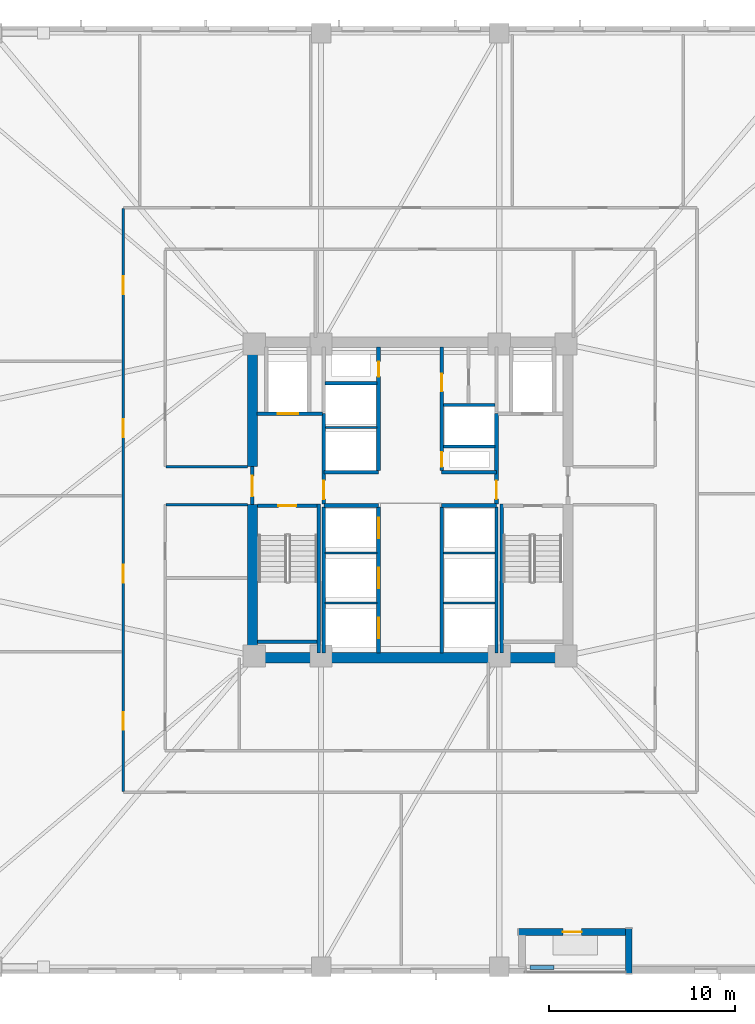
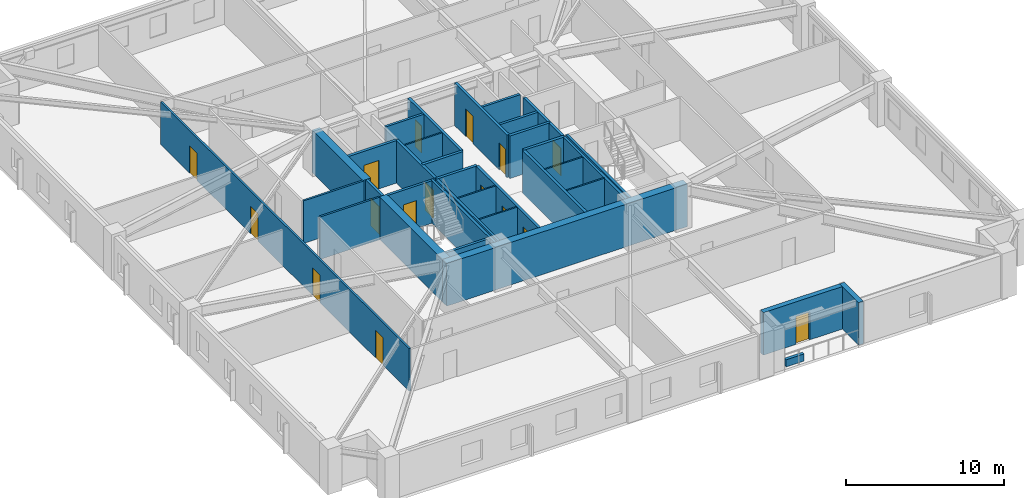
# One storey, part 3 of 11: 35 walls, 16 doors, 16 openings.
"""IFC4 building model written with IfcOpenShell, lengths in metres."""

from ifc_helpers import new_model, si_unit, direction, frame, frame_2d, origin, place, context, subcontext, project, spatial, rectangle, extrude, material, layer, layer_set, type_object, element, fill, save


model = new_model("IFC4")

# Units and contexts
model_context = context("Model", 3, precision=1e-05, world=origin(), true_north=direction((0.0, 1.0)))
body_context = subcontext(model_context, "Body", "Model", "MODEL_VIEW")
ifc_project = project(units=[si_unit("LENGTHUNIT", "METRE"), si_unit("AREAUNIT", "SQUARE_METRE"), si_unit("VOLUMEUNIT", "CUBIC_METRE"), si_unit("PLANEANGLEUNIT", "RADIAN"), si_unit("MASSUNIT", "GRAM", prefix="KILO")], contexts=[model_context])

# Site, building, storey
site_placement = place(None, origin())
site = spatial("IfcSite", under=ifc_project, at=site_placement, CompositionType="ELEMENT")
building_placement = place(site_placement, origin())
building = spatial("IfcBuilding", under=site, at=building_placement, Name="Cairnveth Concourse Tower", CompositionType="ELEMENT")
storey_placement = place(building_placement, frame((0.0, 0.0, 48.0)))
storey = spatial("IfcBuildingStorey", under=building, at=storey_placement, Name="L12", CompositionType="ELEMENT", Elevation=48.0)

# Walls
ifc_material_1 = material(Name="Concrete N80 (80 MPa)", Category="concrete")
ifc_layer_1 = layer(ifc_material_1, 0.550048828125)
ifc_layer_set_1 = layer_set([ifc_layer_1], Name="Concrete N80 (80 MPa)")
wall_type_1 = type_object("IfcWallType", Name="CORE SHEAR WALL 550", PredefinedType="SHEAR", material=ifc_layer_set_1)
wall_1_placement = place(storey_placement, frame((43.22509765625, 30.5, 0.0), z_axis=(0.0, 0.0, 1.0), x_axis=(1.0, 0.0, 0.0)))
element("IfcWall", 1, at=wall_1_placement, inside=storey, type_object=wall_type_1, Name="Core South Shear Wall L12", PredefinedType="SHEAR", context=body_context, shape_type="SweptSolid", body=[
    extrude(rectangle(XDim=17.5498046875, YDim=0.550048828125, at=frame_2d((8.77490234375, 0.0))), origin(), (0.0, 0.0, 1.0), 3.280029296875),
])
wall_2_placement = place(storey_placement, frame((43.5, 30.764892578125, 0.0), z_axis=(0.0, 0.0, 1.0), x_axis=(0.0, 1.0, 0.0)))
element("IfcWall", 2, at=wall_2_placement, inside=storey, type_object=wall_type_1, Name="Core West Shear Wall S L12", PredefinedType="SHEAR", context=body_context, shape_type="SweptSolid", body=[
    extrude(rectangle(XDim=7.985107421875, YDim=0.550048828125, at=frame_2d((3.99267578125, 0.0))), origin(), (0.0, 0.0, 1.0), 3.280029296875),
])
wall_3_placement = place(storey_placement, frame((43.5, 40.800048828125, 0.0), z_axis=(0.0, 0.0, 1.0), x_axis=(0.0, 1.0, 0.0)))
element("IfcWall", 3, at=wall_3_placement, inside=storey, type_object=wall_type_1, Name="Core West Shear Wall N L12", PredefinedType="SHEAR", context=body_context, shape_type="SweptSolid", body=[
    extrude(rectangle(XDim=6.43505859375, YDim=0.550048828125, at=frame_2d((3.217529296875, 0.0))), origin(), (0.0, 0.0, 1.0), 3.280029296875),
])
ifc_material_2 = material(Name="Concrete N50 (50 MPa)", Category="concrete")
ifc_layer_2 = layer(ifc_material_2, 0.179931640625)
ifc_layer_set_2 = layer_set([ifc_layer_2], Name="Concrete N50 (50 MPa)")
wall_type_2 = type_object("IfcWallType", Name="FIRE SHAFT WALL 180", PredefinedType="SOLIDWALL", material=ifc_layer_set_2)
for number, where, z_axis, x_axis, name in (
    (4, (47.35009765625, 30.760009765625, 0.0), (0.0, 0.0, 1.0), (0.0, 1.0, 0.0), "Interior Wall IW-L12-025"),
    (5, (56.64990234375, 30.760009765625, 0.0), (0.0, 0.0, 1.0), (0.0, 1.0, 0.0), "Interior Wall IW-L12-028"),
):
    element("IfcWall", number, at=place(storey_placement, frame(where, z_axis=z_axis, x_axis=x_axis)), inside=storey, type_object=wall_type_2, Name=name, PredefinedType="SOLIDWALL", context=body_context, shape_type="SweptSolid", body=[
        extrude(rectangle(XDim=7.85498046875, YDim=0.179931640625, at=frame_2d((3.927490234375, 0.0))), origin(), (0.0, 0.0, 1.0), 3.280029296875),
    ])
wall_4_placement = place(storey_placement, frame((47.425048828125, 45.280029296875, 0.0), z_axis=(0.0, 0.0, 1.0), x_axis=(1.0, 0.0, 0.0)))
element("IfcWall", 6, at=wall_4_placement, inside=storey, type_object=wall_type_2, Name="Interior Wall IW-L12-033", PredefinedType="SOLIDWALL", context=body_context, shape_type="SweptSolid", body=[
    extrude(rectangle(XDim=2.7900390625, YDim=0.179931640625, at=frame_2d((1.39501953125, 0.0))), origin(), (0.0, 0.0, 1.0), 3.280029296875),
])
wall_5_placement = place(storey_placement, frame((53.784912109375, 41.8798828125, 0.0), z_axis=(0.0, 0.0, 1.0), x_axis=(1.0, 0.0, 0.0)))
element("IfcWall", 7, at=wall_5_placement, inside=storey, type_object=wall_type_2, Name="Interior Wall IW-L12-035", PredefinedType="SOLIDWALL", context=body_context, shape_type="SweptSolid", body=[
    extrude(rectangle(XDim=2.780029296875, YDim=0.179931640625, at=frame_2d((1.39013671875, 0.0))), origin(), (0.0, 0.0, 1.0), 3.280029296875),
])
wall_6_placement = place(storey_placement, frame((53.784912109375, 44.1201171875, 0.0), z_axis=(0.0, 0.0, 1.0), x_axis=(1.0, 0.0, 0.0)))
element("IfcWall", 8, at=wall_6_placement, inside=storey, type_object=wall_type_2, Name="Interior Wall IW-L12-036", PredefinedType="SOLIDWALL", context=body_context, shape_type="SweptSolid", body=[
    extrude(rectangle(XDim=2.7900390625, YDim=0.179931640625, at=frame_2d((1.39501953125, 0.0))), origin(), (0.0, 0.0, 1.0), 3.280029296875),
])

# Wall, opening, door
wall_7_placement = place(storey_placement, frame((43.764892578125, 38.68994140625, 0.0), z_axis=(0.0, 0.0, 1.0), x_axis=(1.0, 0.0, 0.0)))
wall_7 = element("IfcWall", 9, at=wall_7_placement, inside=storey, type_object=wall_type_2, Name="Stair ST-1 Shaft Wall NEAR L12", PredefinedType="SOLIDWALL", context=body_context, shape_type="SweptSolid", body=[
    extrude(rectangle(XDim=3.230224609375, YDim=0.179931640625, at=frame_2d((1.615234375, 0.0))), origin(), (0.0, 0.0, 1.0), 3.280029296875),
])
opening_1_placement = place(wall_7_placement, frame((1.139892578125, 0.0, 0.0)))
opening_1 = element("IfcOpeningElement", 10, at=opening_1_placement, cuts=wall_7, Name="Opening ID12", PredefinedType="OPENING", context=body_context, shape_type="SweptSolid", body=[
    extrude(rectangle(XDim=0.949951171875, YDim=2.14990234375, at=frame_2d((0.47509765625, 1.074951171875))), frame((0.0, 0.099853515625, 0.0), z_axis=(0.0, -1.0, 0.0), x_axis=(1.0, 0.0, 0.0)), (0.0, 0.0, 1.0), 0.199951171875),
])
ifc_material_3 = material(Name="Steel Grade 350", Category="steel")
door_type_1 = type_object("IfcDoorType", Name="FIRE STAIR DOOR 950X2150", OperationType="NOTDEFINED", PredefinedType="DOOR", material=ifc_material_3)
door_1_placement = place(opening_1_placement, origin())
door_1 = element("IfcDoor", 11, at=door_1_placement, inside=storey, type_object=door_type_1, Name="Stair ST-1 Fire Door L12", OperationType="SINGLE_SWING_LEFT", OverallHeight=2.14990234375, OverallWidth=0.949951171875, PredefinedType="DOOR", context=body_context, shape_type="SweptSolid", body=[
    extrude(rectangle(XDim=0.949951171875, YDim=2.14990234375, at=frame_2d((0.47509765625, 1.074951171875))), frame((0.0, 0.02490234375, 0.0), z_axis=(0.0, -1.0, 0.0), x_axis=(1.0, 0.0, 0.0)), (0.0, 0.0, 1.0), 0.050048828125),
])
fill(opening_1, door_1)

# Walls
wall_8_placement = place(storey_placement, frame((43.764892578125, 31.360107421875, 0.0), z_axis=(0.0, 0.0, 1.0), x_axis=(1.0, 0.0, 0.0)))
element("IfcWall", 12, at=wall_8_placement, inside=storey, type_object=wall_type_2, Name="Stair ST-1 Shaft Wall FAR L12", PredefinedType="SOLIDWALL", context=body_context, shape_type="SweptSolid", body=[
    extrude(rectangle(XDim=3.230224609375, YDim=0.179931640625, at=frame_2d((1.615234375, 0.0))), origin(), (0.0, 0.0, 1.0), 3.280029296875),
])
for number, where, z_axis, x_axis, name in (
    (13, (47.070068359375, 38.780029296875, 0.0), (0.0, 0.0, 1.0), (0.0, -1.0, 0.0), "Stair ST-1 Shaft Wall RGHT L12"),
    (14, (56.929931640625, 38.780029296875, 0.0), (0.0, 0.0, 1.0), (0.0, -1.0, 0.0), "Stair ST-2 Shaft Wall LEFT L12"),
):
    element("IfcWall", number, at=place(storey_placement, frame(where, z_axis=z_axis, x_axis=x_axis)), inside=storey, type_object=wall_type_2, Name=name, PredefinedType="SOLIDWALL", context=body_context, shape_type="SweptSolid", body=[
        extrude(rectangle(XDim=8.01708984375, YDim=0.179931640625, at=frame_2d((4.008544921875, 0.0))), origin(), (0.0, 0.0, 1.0), 3.280029296875),
    ])
ifc_layer_3 = layer(ifc_material_2, 0.199951171875)
ifc_layer_set_3 = layer_set([ifc_layer_3], Name="Concrete N50 (50 MPa)")
wall_type_3 = type_object("IfcWallType", Name="FIRE SHAFT WALL 200", PredefinedType="SOLIDWALL", material=ifc_layer_set_3)
for number, where, z_axis, x_axis, name in (
    (15, (47.35009765625, 38.699951171875, 0.0), (0.0, 0.0, 1.0), (1.0, 0.0, 0.0), "Interior Wall IW-L12-007"),
    (16, (47.35009765625, 40.5, 0.0), (0.0, 0.0, 1.0), (1.0, 0.0, 0.0), "Interior Wall IW-L12-008"),
    (17, (53.699951171875, 38.699951171875, 0.0), (0.0, 0.0, 1.0), (1.0, 0.0, 0.0), "Interior Wall IW-L12-009"),
    (18, (53.699951171875, 40.5, 0.0), (0.0, 0.0, 1.0), (1.0, 0.0, 0.0), "Interior Wall IW-L12-010"),
):
    element("IfcWall", number, at=place(storey_placement, frame(where, z_axis=z_axis, x_axis=x_axis)), inside=storey, type_object=wall_type_3, Name=name, PredefinedType="SOLIDWALL", context=body_context, shape_type="SweptSolid", body=[
        extrude(rectangle(XDim=2.949951171875, YDim=0.199951171875, at=frame_2d((1.47509765625, 0.0))), origin(), (0.0, 0.0, 1.0), 3.280029296875),
    ])

# Wall, openings, doors
wall_9_placement = place(storey_placement, frame((50.300048828125, 30.760009765625, 0.0), z_axis=(0.0, 0.0, 1.0), x_axis=(0.0, 1.0, 0.0)))
wall_9 = element("IfcWall", 19, at=wall_9_placement, inside=storey, type_object=wall_type_3, Name="Interior Wall IW-L12-011", PredefinedType="SOLIDWALL", context=body_context, shape_type="SweptSolid", body=[
    extrude(rectangle(XDim=7.85498046875, YDim=0.199951171875, at=frame_2d((3.927490234375, 0.0))), origin(), (0.0, 0.0, 1.0), 3.280029296875),
])
opening_2_placement = place(wall_9_placement, frame((0.7900390625, 0.0, 0.0)))
opening_2 = element("IfcOpeningElement", 20, at=opening_2_placement, cuts=wall_9, Name="Opening LD-1", PredefinedType="OPENING", context=body_context, shape_type="SweptSolid", body=[
    extrude(rectangle(XDim=1.10009765625, YDim=2.199951171875, at=frame_2d((0.550048828125, 1.10009765625))), frame((0.0, 0.10986328125, 0.0), z_axis=(0.0, -1.0, 0.0), x_axis=(1.0, 0.0, 0.0)), (0.0, 0.0, 1.0), 0.219970703125),
])
opening_3_placement = place(wall_9_placement, frame((3.489990234375, 0.0, 0.0)))
opening_3 = element("IfcOpeningElement", 21, at=opening_3_placement, cuts=wall_9, Name="Opening LD-1", PredefinedType="OPENING", context=body_context, shape_type="SweptSolid", body=[
    extrude(rectangle(XDim=1.10009765625, YDim=2.199951171875, at=frame_2d((0.550048828125, 1.10009765625))), frame((0.0, 0.10986328125, 0.0), z_axis=(0.0, -1.0, 0.0), x_axis=(1.0, 0.0, 0.0)), (0.0, 0.0, 1.0), 0.219970703125),
])
opening_4_placement = place(wall_9_placement, frame((6.18994140625, 0.0, 0.0)))
opening_4 = element("IfcOpeningElement", 22, at=opening_4_placement, cuts=wall_9, Name="Opening LD-1", PredefinedType="OPENING", context=body_context, shape_type="SweptSolid", body=[
    extrude(rectangle(XDim=1.10009765625, YDim=2.199951171875, at=frame_2d((0.550048828125, 1.10009765625))), frame((0.0, 0.10986328125, 0.0), z_axis=(0.0, -1.0, 0.0), x_axis=(1.0, 0.0, 0.0)), (0.0, 0.0, 1.0), 0.219970703125),
])
ifc_material_4 = material(Name="Architectural Bronze Anodised Aluminium 6063-T6", Category="aluminium")
door_type_2 = type_object("IfcDoorType", Name="LIFT LANDING DOOR 1100X2200", OperationType="SLIDING_TO_LEFT", PredefinedType="DOOR", material=ifc_material_4)
door_2_placement = place(opening_2_placement, origin())
door_2 = element("IfcDoor", 23, at=door_2_placement, inside=storey, type_object=door_type_2, Name="Lift PL1 Landing Door L12", OperationType="SLIDING_TO_LEFT", OverallHeight=2.199951171875, OverallWidth=1.10009765625, PredefinedType="DOOR", context=body_context, shape_type="SweptSolid", body=[
    extrude(rectangle(XDim=1.10009765625, YDim=2.199951171875, at=frame_2d((0.550048828125, 1.10009765625))), frame((0.0, 0.02490234375, 0.0), z_axis=(0.0, -1.0, 0.0), x_axis=(1.0, 0.0, 0.0)), (0.0, 0.0, 1.0), 0.050048828125),
])
fill(opening_2, door_2)
door_3_placement = place(opening_3_placement, origin())
door_3 = element("IfcDoor", 24, at=door_3_placement, inside=storey, type_object=door_type_2, Name="Lift PL2 Landing Door L12", OperationType="SLIDING_TO_LEFT", OverallHeight=2.199951171875, OverallWidth=1.10009765625, PredefinedType="DOOR", context=body_context, shape_type="SweptSolid", body=[
    extrude(rectangle(XDim=1.10009765625, YDim=2.199951171875, at=frame_2d((0.550048828125, 1.10009765625))), frame((0.0, 0.02490234375, 0.0), z_axis=(0.0, -1.0, 0.0), x_axis=(1.0, 0.0, 0.0)), (0.0, 0.0, 1.0), 0.050048828125),
])
fill(opening_3, door_3)
door_4_placement = place(opening_4_placement, origin())
door_4 = element("IfcDoor", 25, at=door_4_placement, inside=storey, type_object=door_type_2, Name="Lift PL3 Landing Door L12", OperationType="SLIDING_TO_LEFT", OverallHeight=2.199951171875, OverallWidth=1.10009765625, PredefinedType="DOOR", context=body_context, shape_type="SweptSolid", body=[
    extrude(rectangle(XDim=1.10009765625, YDim=2.199951171875, at=frame_2d((0.550048828125, 1.10009765625))), frame((0.0, 0.02490234375, 0.0), z_axis=(0.0, -1.0, 0.0), x_axis=(1.0, 0.0, 0.0)), (0.0, 0.0, 1.0), 0.050048828125),
])
fill(opening_4, door_4)

# Wall
wall_10_placement = place(storey_placement, frame((53.699951171875, 30.760009765625, 0.0), z_axis=(0.0, 0.0, 1.0), x_axis=(0.0, 1.0, 0.0)))
element("IfcWall", 26, at=wall_10_placement, inside=storey, type_object=wall_type_3, Name="Interior Wall IW-L12-012", PredefinedType="SOLIDWALL", context=body_context, shape_type="SweptSolid", body=[
    extrude(rectangle(XDim=7.85498046875, YDim=0.199951171875, at=frame_2d((3.927490234375, 0.0))), origin(), (0.0, 0.0, 1.0), 3.280029296875),
])

# Wall, opening, door
wall_11_placement = place(storey_placement, frame((50.300048828125, 40.5849609375, 0.0), z_axis=(0.0, 0.0, 1.0), x_axis=(0.0, 1.0, 0.0)))
wall_11 = element("IfcWall", 27, at=wall_11_placement, inside=storey, type_object=wall_type_3, Name="Interior Wall IW-L12-013", PredefinedType="SOLIDWALL", context=body_context, shape_type="SweptSolid", body=[
    extrude(rectangle(XDim=6.655029296875, YDim=0.199951171875, at=frame_2d((3.32763671875, 0.0))), origin(), (0.0, 0.0, 1.0), 3.280029296875),
])
opening_5_placement = place(wall_11_placement, frame((5.06494140625, 0.0, 0.0)))
opening_5 = element("IfcOpeningElement", 28, at=opening_5_placement, cuts=wall_11, Name="Opening ID24", PredefinedType="OPENING", context=body_context, shape_type="SweptSolid", body=[
    extrude(rectangle(XDim=0.800048828125, YDim=2.080078125, at=frame_2d((0.39990234375, 1.0400390625))), frame((0.0, 0.10986328125, 0.0), z_axis=(0.0, -1.0, 0.0), x_axis=(1.0, 0.0, 0.0)), (0.0, 0.0, 1.0), 0.219970703125),
])
door_type_3 = type_object("IfcDoorType", Name="RISER ACCESS DOOR 800X2100", OperationType="NOTDEFINED", PredefinedType="DOOR", material=ifc_material_3)
door_5_placement = place(opening_5_placement, origin())
door_5 = element("IfcDoor", 29, at=door_5_placement, inside=storey, type_object=door_type_3, Name="NW Electrical Riser Access Door L12", OperationType="SINGLE_SWING_RIGHT", OverallHeight=2.080078125, OverallWidth=0.800048828125, PredefinedType="DOOR", context=body_context, shape_type="SweptSolid", body=[
    extrude(rectangle(XDim=0.800048828125, YDim=2.080078125, at=frame_2d((0.39990234375, 1.0400390625))), frame((0.0, 0.02490234375, 0.0), z_axis=(0.0, -1.0, 0.0), x_axis=(1.0, 0.0, 0.0)), (0.0, 0.0, 1.0), 0.050048828125),
])
fill(opening_5, door_5)

# Wall, openings, doors
wall_12_placement = place(storey_placement, frame((53.699951171875, 40.5849609375, 0.0), z_axis=(0.0, 0.0, 1.0), x_axis=(0.0, 1.0, 0.0)))
wall_12 = element("IfcWall", 30, at=wall_12_placement, inside=storey, type_object=wall_type_3, Name="Interior Wall IW-L12-014", PredefinedType="SOLIDWALL", context=body_context, shape_type="SweptSolid", body=[
    extrude(rectangle(XDim=6.655029296875, YDim=0.199951171875, at=frame_2d((3.32763671875, 0.0))), origin(), (0.0, 0.0, 1.0), 3.280029296875),
])
opening_6_placement = place(wall_12_placement, frame((0.195068359375, 0.0, 0.0)))
opening_6 = element("IfcOpeningElement", 31, at=opening_6_placement, cuts=wall_12, Name="Opening ID24", PredefinedType="OPENING", context=body_context, shape_type="SweptSolid", body=[
    extrude(rectangle(XDim=0.800048828125, YDim=2.080078125, at=frame_2d((0.39990234375, 1.0400390625))), frame((0.0, 0.10986328125, 0.0), z_axis=(0.0, -1.0, 0.0), x_axis=(1.0, 0.0, 0.0)), (0.0, 0.0, 1.0), 0.219970703125),
])
opening_7_placement = place(wall_12_placement, frame((4.264892578125, 0.0, 0.0)))
opening_7 = element("IfcOpeningElement", 32, at=opening_7_placement, cuts=wall_12, Name="Opening ID25", PredefinedType="OPENING", context=body_context, shape_type="SweptSolid", body=[
    extrude(rectangle(XDim=0.949951171875, YDim=2.1201171875, at=frame_2d((0.47509765625, 1.06005859375))), frame((0.0, 0.10986328125, 0.0), z_axis=(0.0, -1.0, 0.0), x_axis=(1.0, 0.0, 0.0)), (0.0, 0.0, 1.0), 0.219970703125),
])
door_type_4 = type_object("IfcDoorType", Name="CORE ACCESSIBLE FIRE DOOR 950X2120", OperationType="NOTDEFINED", PredefinedType="DOOR", material=ifc_material_3)
door_6_placement = place(opening_7_placement, origin())
door_6 = element("IfcDoor", 33, at=door_6_placement, inside=storey, type_object=door_type_4, Name="Core NE Restroom Door L12", OperationType="SINGLE_SWING_RIGHT", OverallHeight=2.1201171875, OverallWidth=0.949951171875, PredefinedType="DOOR", context=body_context, shape_type="SweptSolid", body=[
    extrude(rectangle(XDim=0.949951171875, YDim=2.1201171875, at=frame_2d((0.47509765625, 1.06005859375))), frame((0.0, 0.02490234375, 0.0), z_axis=(0.0, -1.0, 0.0), x_axis=(1.0, 0.0, 0.0)), (0.0, 0.0, 1.0), 0.050048828125),
])
fill(opening_7, door_6)
door_7_placement = place(opening_6_placement, origin())
door_7 = element("IfcDoor", 34, at=door_7_placement, inside=storey, type_object=door_type_3, Name="Hydraulic Riser Door L12", OperationType="SINGLE_SWING_LEFT", OverallHeight=2.080078125, OverallWidth=0.800048828125, PredefinedType="DOOR", context=body_context, shape_type="SweptSolid", body=[
    extrude(rectangle(XDim=0.800048828125, YDim=2.080078125, at=frame_2d((0.39990234375, 1.0400390625))), frame((0.0, 0.02490234375, 0.0), z_axis=(0.0, -1.0, 0.0), x_axis=(1.0, 0.0, 0.0)), (0.0, 0.0, 1.0), 0.050048828125),
])
fill(opening_6, door_7)

# Wall, opening, door
wall_13_placement = place(storey_placement, frame((43.5, 38.75, 0.0), z_axis=(0.0, 0.0, 1.0), x_axis=(0.0, 1.0, 0.0)))
wall_13 = element("IfcWall", 35, at=wall_13_placement, inside=storey, type_object=wall_type_3, Name="Interior Wall IW-L12-015", PredefinedType="SOLIDWALL", context=body_context, shape_type="SweptSolid", body=[
    extrude(rectangle(XDim=2.050048828125, YDim=0.199951171875, at=frame_2d((1.02490234375, 0.0))), origin(), (0.0, 0.0, 1.0), 3.280029296875),
])
opening_8_placement = place(wall_13_placement, frame((0.449951171875, 0.0, 0.0)))
opening_8 = element("IfcOpeningElement", 36, at=opening_8_placement, cuts=wall_13, Name="Opening ID06", PredefinedType="OPENING", context=body_context, shape_type="SweptSolid", body=[
    extrude(rectangle(XDim=1.10009765625, YDim=2.14990234375, at=frame_2d((0.550048828125, 1.074951171875))), frame((0.0, 0.10986328125, 0.0), z_axis=(0.0, -1.0, 0.0), x_axis=(1.0, 0.0, 0.0)), (0.0, 0.0, 1.0), 0.219970703125),
])
door_type_5 = type_object("IfcDoorType", Name="FIRE CORRIDOR DOOR 1100X2150", OperationType="NOTDEFINED", PredefinedType="DOOR", material=ifc_material_3)
door_8_placement = place(opening_8_placement, origin())
door_8 = element("IfcDoor", 37, at=door_8_placement, inside=storey, type_object=door_type_5, Name="West Wing to FF Lobby Door L12", OperationType="SINGLE_SWING_LEFT", OverallHeight=2.14990234375, OverallWidth=1.10009765625, PredefinedType="DOOR", context=body_context, shape_type="SweptSolid", body=[
    extrude(rectangle(XDim=1.10009765625, YDim=2.14990234375, at=frame_2d((0.550048828125, 1.074951171875))), frame((0.0, 0.02490234375, 0.0), z_axis=(0.0, -1.0, 0.0), x_axis=(1.0, 0.0, 0.0)), (0.0, 0.0, 1.0), 0.050048828125),
])
fill(opening_8, door_8)

wall_14_placement = place(storey_placement, frame((47.35009765625, 38.784912109375, 0.0), z_axis=(0.0, 0.0, 1.0), x_axis=(0.0, 1.0, 0.0)))
wall_14 = element("IfcWall", 38, at=wall_14_placement, inside=storey, type_object=wall_type_3, Name="Interior Wall IW-L12-016", PredefinedType="SOLIDWALL", context=body_context, shape_type="SweptSolid", body=[
    extrude(rectangle(XDim=4.864990234375, YDim=0.199951171875, at=frame_2d((2.4326171875, 0.0))), origin(), (0.0, 0.0, 1.0), 3.280029296875),
])
opening_9_placement = place(wall_14_placement, frame((0.264892578125, 0.0, 0.0)))
opening_9 = element("IfcOpeningElement", 39, at=opening_9_placement, cuts=wall_14, Name="Opening ID07", PredefinedType="OPENING", context=body_context, shape_type="SweptSolid", body=[
    extrude(rectangle(XDim=1.0, YDim=2.14990234375, at=frame_2d((0.5, 1.074951171875))), frame((0.0, 0.10986328125, 0.0), z_axis=(0.0, -1.0, 0.0), x_axis=(1.0, 0.0, 0.0)), (0.0, 0.0, 1.0), 0.219970703125),
])
door_type_6 = type_object("IfcDoorType", Name="FIRE CORRIDOR DOOR 1000X2150", OperationType="NOTDEFINED", PredefinedType="DOOR", material=ifc_material_3)
door_9_placement = place(opening_9_placement, origin())
door_9 = element("IfcDoor", 40, at=door_9_placement, inside=storey, type_object=door_type_6, Name="FF Lobby West to Lift Lobby Door L12", OperationType="SINGLE_SWING_RIGHT", OverallHeight=2.14990234375, OverallWidth=1.0, PredefinedType="DOOR", context=body_context, shape_type="SweptSolid", body=[
    extrude(rectangle(XDim=1.0, YDim=2.14990234375, at=frame_2d((0.5, 1.074951171875))), frame((0.0, 0.02490234375, 0.0), z_axis=(0.0, -1.0, 0.0), x_axis=(1.0, 0.0, 0.0)), (0.0, 0.0, 1.0), 0.050048828125),
])
fill(opening_9, door_9)

wall_15_placement = place(storey_placement, frame((43.760009765625, 43.64990234375, 0.0), z_axis=(0.0, 0.0, 1.0), x_axis=(1.0, 0.0, 0.0)))
wall_15 = element("IfcWall", 41, at=wall_15_placement, inside=storey, type_object=wall_type_3, Name="Interior Wall IW-L12-017", PredefinedType="SOLIDWALL", context=body_context, shape_type="SweptSolid", body=[
    extrude(rectangle(XDim=3.5048828125, YDim=0.199951171875, at=frame_2d((1.75244140625, 0.0))), origin(), (0.0, 0.0, 1.0), 3.280029296875),
])
opening_10_placement = place(wall_15_placement, frame((1.110107421875, 0.0, 0.0)))
opening_10 = element("IfcOpeningElement", 42, at=opening_10_placement, cuts=wall_15, Name="Opening LD-1", PredefinedType="OPENING", context=body_context, shape_type="SweptSolid", body=[
    extrude(rectangle(XDim=1.10009765625, YDim=2.199951171875, at=frame_2d((0.550048828125, 1.10009765625))), frame((0.0, 0.10986328125, 0.0), z_axis=(0.0, -1.0, 0.0), x_axis=(1.0, 0.0, 0.0)), (0.0, 0.0, 1.0), 0.219970703125),
])
door_10_placement = place(opening_10_placement, origin())
door_10 = element("IfcDoor", 43, at=door_10_placement, inside=storey, type_object=door_type_2, Name="Lift FFL1 Landing Door L12", OperationType="SLIDING_TO_LEFT", OverallHeight=2.199951171875, OverallWidth=1.10009765625, PredefinedType="DOOR", context=body_context, shape_type="SweptSolid", body=[
    extrude(rectangle(XDim=1.10009765625, YDim=2.199951171875, at=frame_2d((0.550048828125, 1.10009765625))), frame((0.0, 0.02490234375, 0.0), z_axis=(0.0, -1.0, 0.0), x_axis=(1.0, 0.0, 0.0)), (0.0, 0.0, 1.0), 0.050048828125),
])
fill(opening_10, door_10)

wall_16_placement = place(storey_placement, frame((56.64990234375, 38.784912109375, 0.0), z_axis=(0.0, 0.0, 1.0), x_axis=(0.0, 1.0, 0.0)))
wall_16 = element("IfcWall", 44, at=wall_16_placement, inside=storey, type_object=wall_type_3, Name="Interior Wall IW-L12-021", PredefinedType="SOLIDWALL", context=body_context, shape_type="SweptSolid", body=[
    extrude(rectangle(XDim=4.864990234375, YDim=0.199951171875, at=frame_2d((2.4326171875, 0.0))), origin(), (0.0, 0.0, 1.0), 3.280029296875),
])
opening_11_placement = place(wall_16_placement, frame((0.264892578125, 0.0, 0.0)))
opening_11 = element("IfcOpeningElement", 45, at=opening_11_placement, cuts=wall_16, Name="Opening ID07", PredefinedType="OPENING", context=body_context, shape_type="SweptSolid", body=[
    extrude(rectangle(XDim=1.0, YDim=2.14990234375, at=frame_2d((0.5, 1.074951171875))), frame((0.0, 0.10986328125, 0.0), z_axis=(0.0, -1.0, 0.0), x_axis=(1.0, 0.0, 0.0)), (0.0, 0.0, 1.0), 0.219970703125),
])
door_11_placement = place(opening_11_placement, origin())
door_11 = element("IfcDoor", 46, at=door_11_placement, inside=storey, type_object=door_type_6, Name="FF Lobby East to Lift Lobby Door L12", OperationType="SINGLE_SWING_LEFT", OverallHeight=2.14990234375, OverallWidth=1.0, PredefinedType="DOOR", context=body_context, shape_type="SweptSolid", body=[
    extrude(rectangle(XDim=1.0, YDim=2.14990234375, at=frame_2d((0.5, 1.074951171875))), frame((0.0, 0.02490234375, 0.0), z_axis=(0.0, -1.0, 0.0), x_axis=(1.0, 0.0, 0.0)), (0.0, 0.0, 1.0), 0.050048828125),
])
fill(opening_11, door_11)

# Wall, openings, doors
ifc_material_5 = material(Name="Gypsum Plasterboard Partition", Category="gypsum")
ifc_layer_4 = layer(ifc_material_5, 0.139892578125)
ifc_layer_set_4 = layer_set([ifc_layer_4], Name="Gypsum Plasterboard Partition")
wall_type_4 = type_object("IfcWallType", Name="GYPSUM STUD PARTITION 140", PredefinedType="PARTITIONING", material=ifc_layer_set_4)
wall_17_placement = place(storey_placement, frame((36.550048828125, 23.304931640625, 0.0), z_axis=(0.0, 0.0, 1.0), x_axis=(0.0, 1.0, 0.0)))
wall_17 = element("IfcWall", 47, at=wall_17_placement, inside=storey, type_object=wall_type_4, Name="Interior Wall IW-L12-040", PredefinedType="PARTITIONING", context=body_context, shape_type="SweptSolid", body=[
    extrude(rectangle(XDim=31.39013671875, YDim=0.139892578125, at=frame_2d((15.695068359375, 0.0))), origin(), (0.0, 0.0, 1.0), 3.280029296875),
])
opening_12_placement = place(wall_17_placement, frame((3.306884765625, 0.0, 0.0)))
opening_12 = element("IfcOpeningElement", 48, at=opening_12_placement, cuts=wall_17, Name="Opening ID11", PredefinedType="OPENING", context=body_context, shape_type="SweptSolid", body=[
    extrude(rectangle(XDim=0.9599609375, YDim=2.1201171875, at=frame_2d((0.47998046875, 1.06005859375))), frame((0.0, 0.079833984375, 0.0), z_axis=(0.0, -1.0, 0.0), x_axis=(1.0, 0.0, 0.0)), (0.0, 0.0, 1.0), 0.159912109375),
])
opening_13_placement = place(wall_17_placement, frame((11.25, 0.0, 0.0)))
opening_13 = element("IfcOpeningElement", 49, at=opening_13_placement, cuts=wall_17, Name="Opening ID11", PredefinedType="OPENING", context=body_context, shape_type="SweptSolid", body=[
    extrude(rectangle(XDim=0.9599609375, YDim=2.1201171875, at=frame_2d((0.47998046875, 1.06005859375))), frame((0.0, 0.079833984375, 0.0), z_axis=(0.0, -1.0, 0.0), x_axis=(1.0, 0.0, 0.0)), (0.0, 0.0, 1.0), 0.159912109375),
])
opening_14_placement = place(wall_17_placement, frame((19.074951171875, 0.0, 0.0)))
opening_14 = element("IfcOpeningElement", 50, at=opening_14_placement, cuts=wall_17, Name="Opening ID11", PredefinedType="OPENING", context=body_context, shape_type="SweptSolid", body=[
    extrude(rectangle(XDim=0.9599609375, YDim=2.1201171875, at=frame_2d((0.47998046875, 1.06005859375))), frame((0.0, 0.079833984375, 0.0), z_axis=(0.0, -1.0, 0.0), x_axis=(1.0, 0.0, 0.0)), (0.0, 0.0, 1.0), 0.159912109375),
])
opening_15_placement = place(wall_17_placement, frame((26.781982421875, 0.0, 0.0)))
opening_15 = element("IfcOpeningElement", 51, at=opening_15_placement, cuts=wall_17, Name="Opening ID11", PredefinedType="OPENING", context=body_context, shape_type="SweptSolid", body=[
    extrude(rectangle(XDim=0.9599609375, YDim=2.1201171875, at=frame_2d((0.47998046875, 1.06005859375))), frame((0.0, 0.079833984375, 0.0), z_axis=(0.0, -1.0, 0.0), x_axis=(1.0, 0.0, 0.0)), (0.0, 0.0, 1.0), 0.159912109375),
])
ifc_material_6 = material(Name="Solid Core Hardwood Timber Leaf", Category="wood")
door_type_7 = type_object("IfcDoorType", Name="INTERIOR SINGLE DOOR 960X2150", OperationType="NOTDEFINED", PredefinedType="DOOR", material=ifc_material_6)
door_12_placement = place(opening_12_placement, origin())
door_12 = element("IfcDoor", 52, at=door_12_placement, inside=storey, type_object=door_type_7, Name="Office Door L12-W1", OperationType="SINGLE_SWING_RIGHT", OverallHeight=2.1201171875, OverallWidth=0.9599609375, PredefinedType="DOOR", context=body_context, shape_type="SweptSolid", body=[
    extrude(rectangle(XDim=0.9599609375, YDim=2.1201171875, at=frame_2d((0.47998046875, 1.06005859375))), frame((0.0, 0.02490234375, 0.0), z_axis=(0.0, -1.0, 0.0), x_axis=(1.0, 0.0, 0.0)), (0.0, 0.0, 1.0), 0.050048828125),
])
fill(opening_12, door_12)
door_13_placement = place(opening_13_placement, origin())
door_13 = element("IfcDoor", 53, at=door_13_placement, inside=storey, type_object=door_type_7, Name="Office Door L12-W2", OperationType="SINGLE_SWING_LEFT", OverallHeight=2.1201171875, OverallWidth=0.9599609375, PredefinedType="DOOR", context=body_context, shape_type="SweptSolid", body=[
    extrude(rectangle(XDim=0.9599609375, YDim=2.1201171875, at=frame_2d((0.47998046875, 1.06005859375))), frame((0.0, 0.02490234375, 0.0), z_axis=(0.0, -1.0, 0.0), x_axis=(1.0, 0.0, 0.0)), (0.0, 0.0, 1.0), 0.050048828125),
])
fill(opening_13, door_13)
door_14_placement = place(opening_14_placement, origin())
door_14 = element("IfcDoor", 54, at=door_14_placement, inside=storey, type_object=door_type_7, Name="Office Door L12-W3", OperationType="SINGLE_SWING_RIGHT", OverallHeight=2.1201171875, OverallWidth=0.9599609375, PredefinedType="DOOR", context=body_context, shape_type="SweptSolid", body=[
    extrude(rectangle(XDim=0.9599609375, YDim=2.1201171875, at=frame_2d((0.47998046875, 1.06005859375))), frame((0.0, 0.02490234375, 0.0), z_axis=(0.0, -1.0, 0.0), x_axis=(1.0, 0.0, 0.0)), (0.0, 0.0, 1.0), 0.050048828125),
])
fill(opening_14, door_14)
door_15_placement = place(opening_15_placement, origin())
door_15 = element("IfcDoor", 55, at=door_15_placement, inside=storey, type_object=door_type_7, Name="Office Door L12-W4", OperationType="SINGLE_SWING_LEFT", OverallHeight=2.1201171875, OverallWidth=0.9599609375, PredefinedType="DOOR", context=body_context, shape_type="SweptSolid", body=[
    extrude(rectangle(XDim=0.9599609375, YDim=2.1201171875, at=frame_2d((0.47998046875, 1.06005859375))), frame((0.0, 0.02490234375, 0.0), z_axis=(0.0, -1.0, 0.0), x_axis=(1.0, 0.0, 0.0)), (0.0, 0.0, 1.0), 0.050048828125),
])
fill(opening_15, door_15)

# Walls
for number, where, z_axis, x_axis, name in (
    (56, (38.85498046875, 38.75, 0.0), (0.0, 0.0, 1.0), (1.0, 0.0, 0.0), "Interior Wall IW-L12-046"),
    (57, (38.85498046875, 40.800048828125, 0.0), (0.0, 0.0, 1.0), (1.0, 0.0, 0.0), "Interior Wall IW-L12-047"),
):
    element("IfcWall", number, at=place(storey_placement, frame(where, z_axis=z_axis, x_axis=x_axis)), inside=storey, type_object=wall_type_4, Name=name, PredefinedType="PARTITIONING", context=body_context, shape_type="SweptSolid", body=[
        extrude(rectangle(XDim=4.385009765625, YDim=0.139892578125, at=frame_2d((2.1923828125, 0.0))), origin(), (0.0, 0.0, 1.0), 3.280029296875),
    ])
ifc_layer_5 = layer(ifc_material_5, 0.110107421875)
ifc_layer_set_5 = layer_set([ifc_layer_5], Name="Gypsum Plasterboard Partition")
wall_type_5 = type_object("IfcWallType", Name="SHAFT DIVIDER WALL 140", PredefinedType="PARTITIONING", material=ifc_layer_set_5)
for number, where, z_axis, x_axis, name in (
    (58, (47.425048828125, 33.449951171875, 0.0), (0.0, 0.0, 1.0), (1.0, 0.0, 0.0), "Interior Wall IW-L12-026"),
    (59, (47.425048828125, 36.14990234375, 0.0), (0.0, 0.0, 1.0), (1.0, 0.0, 0.0), "Interior Wall IW-L12-027"),
    (60, (53.784912109375, 33.449951171875, 0.0), (0.0, 0.0, 1.0), (1.0, 0.0, 0.0), "Interior Wall IW-L12-029"),
    (61, (53.784912109375, 36.14990234375, 0.0), (0.0, 0.0, 1.0), (1.0, 0.0, 0.0), "Interior Wall IW-L12-030"),
):
    element("IfcWall", number, at=place(storey_placement, frame(where, z_axis=z_axis, x_axis=x_axis)), inside=storey, type_object=wall_type_5, Name=name, PredefinedType="PARTITIONING", context=body_context, shape_type="SweptSolid", body=[
        extrude(rectangle(XDim=2.7900390625, YDim=0.110107421875, at=frame_2d((1.39501953125, 0.0))), origin(), (0.0, 0.0, 1.0), 3.280029296875),
    ])
wall_18_placement = place(storey_placement, frame((47.43505859375, 42.89990234375, 0.0), z_axis=(0.0, 0.0, 1.0), x_axis=(1.0, 0.0, 0.0)))
element("IfcWall", 62, at=wall_18_placement, inside=storey, type_object=wall_type_5, Name="Interior Wall IW-L12-032", PredefinedType="PARTITIONING", context=body_context, shape_type="SweptSolid", body=[
    extrude(rectangle(XDim=2.780029296875, YDim=0.110107421875, at=frame_2d((1.39013671875, 0.0))), origin(), (0.0, 0.0, 1.0), 3.280029296875),
])
ifc_material_7 = material(Name="Dressed Melbourne Bluestone Cladding", Category="masonry")
ifc_layer_6 = layer(ifc_material_7, 0.219970703125)
ifc_layer_set_6 = layer_set([ifc_layer_6], Name="Dressed Melbourne Bluestone Cladding")
wall_type_6 = type_object("IfcWallType", Name="TERRACE PLANTER CURB WALL 220", PredefinedType="PARAPET", material=ifc_layer_set_6)
wall_19_placement = place(storey_placement, frame((58.449951171875, 13.820068359375, 0.0), z_axis=(0.0, 0.0, 1.0), x_axis=(1.0, 0.0, 0.0)))
element("IfcWall", 63, at=wall_19_placement, inside=storey, type_object=wall_type_6, Name="Exterior Wall PLNT-L12-TERR", PredefinedType="PARAPET", context=body_context, shape_type="SweptSolid", body=[
    extrude(rectangle(XDim=1.300048828125, YDim=0.219970703125, at=frame_2d((0.64990234375, 0.0))), origin(), (0.0, 0.0, 1.0), 0.550048828125),
])
ifc_material_8 = material(Name="Hawthorn Red-Ochre Fired Clay Brick Masonry", Category="masonry")
ifc_layer_7 = layer(ifc_material_8, 0.360107421875)
ifc_layer_set_7 = layer_set([ifc_layer_7], Name="Hawthorn Red-Ochre Fired Clay Brick Masonry")
wall_type_7 = type_object("IfcWallType", Name="ZONE 1 BRICK PIER SPANDREL WALL 360", PredefinedType="SOLIDWALL", material=ifc_layer_set_7)
wall_20_placement = place(storey_placement, frame((63.780029296875, 13.5, 0.0), z_axis=(0.0, 0.0, 1.0), x_axis=(0.0, 1.0, 0.0)))
element("IfcWall", 64, at=wall_20_placement, inside=storey, type_object=wall_type_7, Name="Exterior Wall EW-L12-S13", PredefinedType="SOLIDWALL", context=body_context, shape_type="SweptSolid", body=[
    extrude(rectangle(XDim=2.409912109375, YDim=0.360107421875, at=frame_2d((1.205078125, 0.0))), origin(), (0.0, 0.0, 1.0), 3.280029296875),
])

# Wall, opening, door
wall_21_placement = place(storey_placement, frame((63.6220703125, 15.72998046875, 0.0), z_axis=(0.0, 0.0, 1.0), x_axis=(-1.0, 0.0, 0.0)))
wall_21 = element("IfcWall", 65, at=wall_21_placement, inside=storey, type_object=wall_type_7, Name="Exterior Wall EW-L12-S14", PredefinedType="SOLIDWALL", context=body_context, shape_type="SweptSolid", body=[
    extrude(rectangle(XDim=5.781982421875, YDim=0.360107421875, at=frame_2d((2.89111328125, 0.0))), origin(), (0.0, 0.0, 1.0), 3.280029296875),
])
opening_16_placement = place(wall_21_placement, frame((2.39111328125, 0.0, 0.0)))
opening_16 = element("IfcOpeningElement", 66, at=opening_16_placement, cuts=wall_21, Name="Opening ED4", PredefinedType="OPENING", context=body_context, shape_type="SweptSolid", body=[
    extrude(rectangle(XDim=1.0, YDim=2.14990234375, at=frame_2d((0.5, 1.074951171875))), frame((0.0, 0.18994140625, 0.0), z_axis=(0.0, -1.0, 0.0), x_axis=(1.0, 0.0, 0.0)), (0.0, 0.0, 1.0), 0.380126953125),
])
door_type_8 = type_object("IfcDoorType", Name="TERRACE GLAZED DOOR 1000X2150", OperationType="NOTDEFINED", PredefinedType="DOOR", material=ifc_material_4)
door_16_placement = place(opening_16_placement, origin())
door_16 = element("IfcDoor", 67, at=door_16_placement, inside=storey, type_object=door_type_8, Name="Spiral Terrace Door L12", OperationType="SINGLE_SWING_LEFT", OverallHeight=2.14990234375, OverallWidth=1.0, PredefinedType="DOOR", context=body_context, shape_type="SweptSolid", body=[
    extrude(rectangle(XDim=1.0, YDim=2.14990234375, at=frame_2d((0.5, 1.074951171875))), frame((0.0, 0.02490234375, 0.0), z_axis=(0.0, -1.0, 0.0), x_axis=(1.0, 0.0, 0.0)), (0.0, 0.0, 1.0), 0.050048828125),
])
fill(opening_16, door_16)

save(model, "model.ifc")
